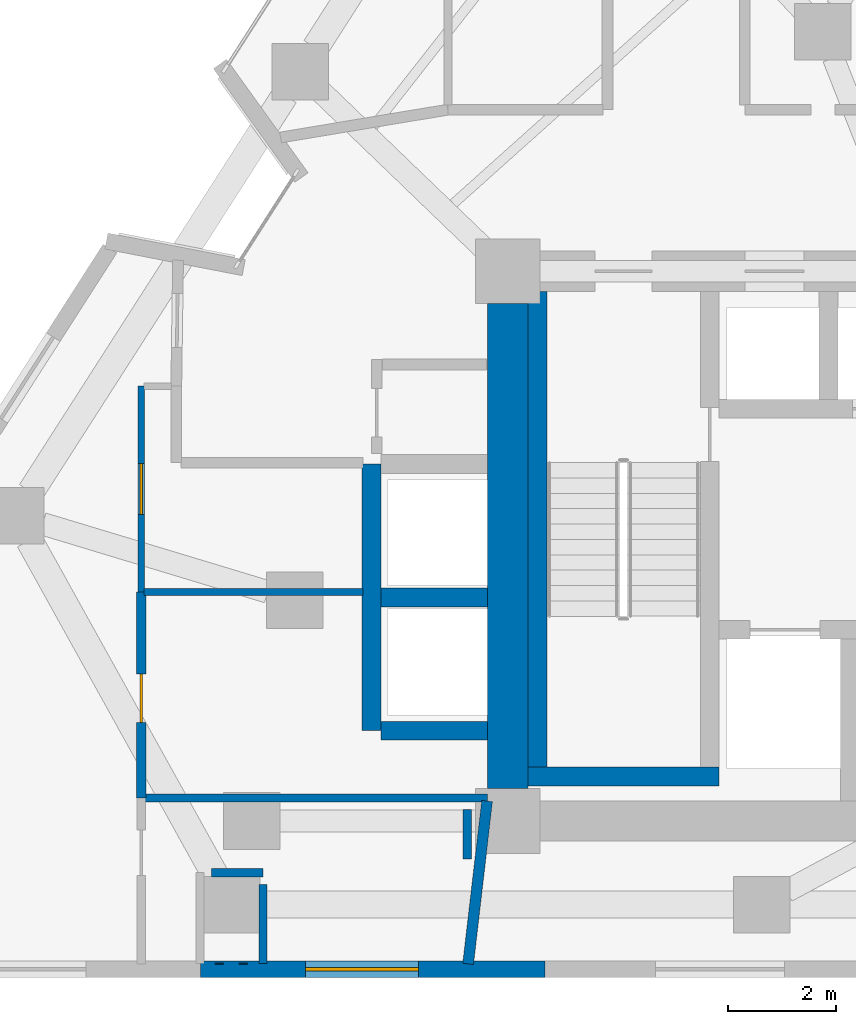
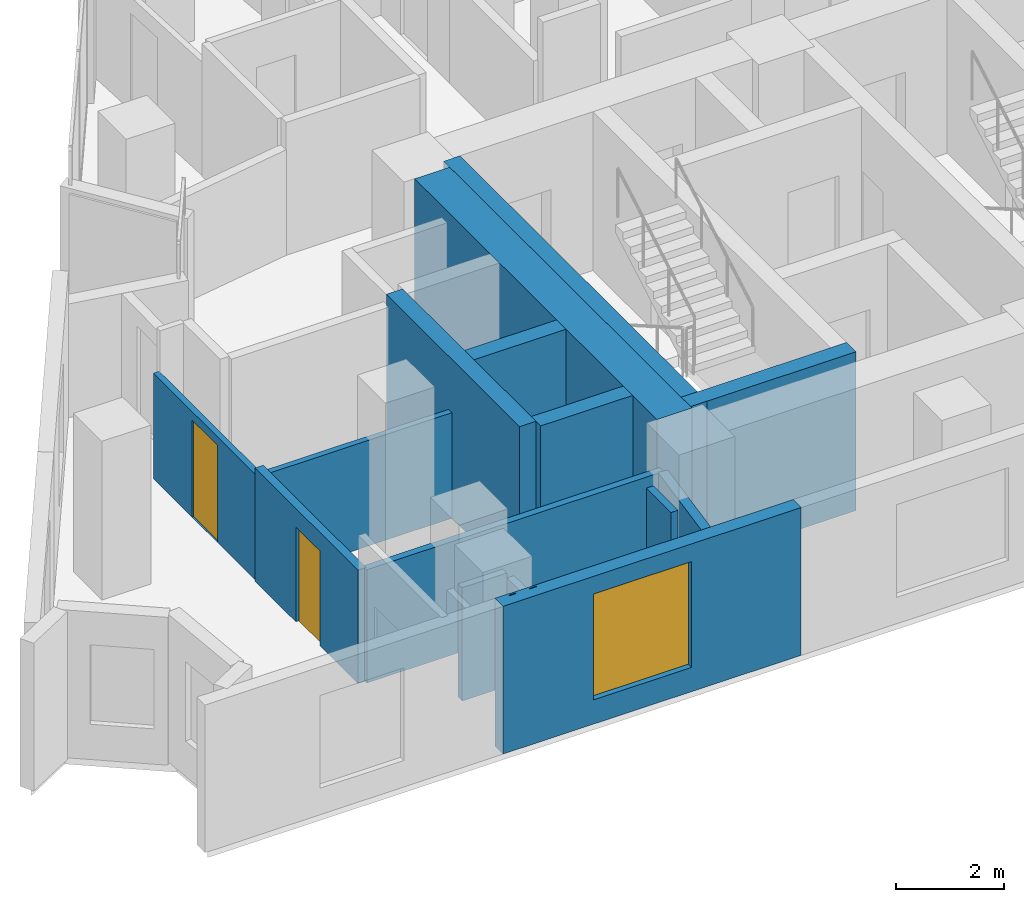
# One storey, part 5 of 11: 17 walls, 2 doors, 1 window, 3 openings.
"""IFC4 building model written with IfcOpenShell, lengths in metres."""

from ifc_helpers import new_model, si_unit, direction, frame, frame_2d, origin, place, context, subcontext, project, spatial, rectangle, extrude, material, layer, layer_set, type_object, element, fill, save


model = new_model("IFC4")

# Units and contexts
model_context = context("Model", 3, precision=1e-05, world=origin(), true_north=direction((0.0, 1.0)))
body_context = subcontext(model_context, "Body", "Model", "MODEL_VIEW")
ifc_project = project(units=[si_unit("LENGTHUNIT", "METRE"), si_unit("AREAUNIT", "SQUARE_METRE"), si_unit("VOLUMEUNIT", "CUBIC_METRE"), si_unit("PLANEANGLEUNIT", "RADIAN"), si_unit("MASSUNIT", "GRAM", prefix="KILO")], contexts=[model_context])

# Site, building, storey
site_placement = place(None, origin())
site = spatial("IfcSite", under=ifc_project, at=site_placement, CompositionType="ELEMENT")
building_placement = place(site_placement, origin())
building = spatial("IfcBuilding", under=site, at=building_placement, Name="Almagre Mirador Tower", CompositionType="ELEMENT")
storey_placement = place(building_placement, frame((0.0, 0.0, 157.199951171875)))
storey = spatial("IfcBuildingStorey", under=building, at=storey_placement, Name="L40", CompositionType="ELEMENT", Elevation=157.199951171875)

# Wall, opening, window
ifc_material_1 = material(Name="Precast concrete C50/60", Category="concrete")
ifc_layer_1 = layer(ifc_material_1, 0.300048828125)
ifc_layer_set_1 = layer_set([ifc_layer_1], Name="Precast concrete C50/60")
wall_type_1 = type_object("IfcWallType", Name="WAL-EXT-300", PredefinedType="SOLIDWALL", material=ifc_layer_set_1)
wall_1_placement = place(storey_placement, frame((28.24609375, 1.800048828125, 0.0), z_axis=(0.0, 0.0, 1.0), x_axis=(-1.0, 0.0, 0.0)))
wall_1 = element("IfcWall", 1, at=wall_1_placement, inside=storey, type_object=wall_type_1, Name="L40 expressed almagre precast frame wall 27", PredefinedType="SOLIDWALL", context=body_context, shape_type="SweptSolid", body=[
    extrude(rectangle(XDim=6.39306640625, YDim=0.300048828125, at=frame_2d((3.196533203125, 0.0))), origin(), (0.0, 0.0, 1.0), 3.35009765625),
])
opening_1_placement = place(wall_1_placement, frame((2.35009765625, 0.0, 0.550048828125)))
opening_1 = element("IfcOpeningElement", 2, at=opening_1_placement, cuts=wall_1, Name="Opening WN-05", PredefinedType="OPENING", context=body_context, shape_type="SweptSolid", body=[
    extrude(rectangle(XDim=2.10009765625, YDim=2.39990234375, at=frame_2d((1.050048828125, 1.199951171875))), frame((0.0, 0.159902, 0.0), z_axis=(0.0, -1.0, 0.0), x_axis=(1.0, 0.0, 0.0)), (0.0, 0.0, 1.0), 0.320049),
])
ifc_material_2 = material(Name="Dark solar-control laminated hurricane glass", Category="glass")
window_type = type_object("IfcWindowType", Name="WIN-2100X2400", PartitioningType="DOUBLE_PANEL_VERTICAL", PredefinedType="WINDOW", material=ifc_material_2)
window_placement = place(opening_1_placement, origin())
window = element("IfcWindow", 3, at=window_placement, inside=storey, type_object=window_type, Name="L40 recessed hurricane window L40-UA-HB", OverallHeight=2.39990234375, OverallWidth=2.10009765625, PartitioningType="SINGLE_PANEL", PredefinedType="WINDOW", context=body_context, shape_type="SweptSolid", body=[
    extrude(rectangle(XDim=2.10009765625, YDim=2.39990234375, at=frame_2d((1.050048828125, 1.199951171875))), frame((0.0, 0.030029296875, 0.0), z_axis=(0.0, -1.0, 0.0), x_axis=(1.0, 0.0, 0.0)), (0.0, 0.0, 1.0), 0.06005859375),
])
fill(opening_1, window)

# Wall, opening, door
ifc_material_3 = material(Name="Gypsum acoustic stud partition", Category="other")
ifc_layer_2 = layer(ifc_material_3, 0.125)
ifc_layer_set_2 = layer_set([ifc_layer_2], Name="Gypsum acoustic stud partition")
wall_type_2 = type_object("IfcWallType", Name="WAL-PRT-125-UTL", PredefinedType="PARTITIONING", material=ifc_layer_set_2)
wall_2_placement = place(storey_placement, frame((20.75, 8.800048828125, 0.0), z_axis=(0.0, 0.0, 1.0), x_axis=(0.0, 1.0, 0.0)))
wall_2 = element("IfcWall", 4, at=wall_2_placement, inside=storey, type_object=wall_type_2, Name="L40 interior partition 028", PredefinedType="PARTITIONING", context=body_context, shape_type="SweptSolid", body=[
    extrude(rectangle(XDim=3.820068359375, YDim=0.125, at=frame_2d((1.91015625, 0.0))), origin(), (0.0, 0.0, 1.0), 2.39306640625),
])
opening_2_placement = place(wall_2_placement, frame((1.43505859375, 0.0, 0.0)))
opening_2 = element("IfcOpeningElement", 5, at=opening_2_placement, cuts=wall_2, Name="Opening UD-01", PredefinedType="OPENING", context=body_context, shape_type="SweptSolid", body=[
    extrude(rectangle(XDim=0.949951171875, YDim=2.199951171875, at=frame_2d((0.47509765625, 1.10009765625))), frame((0.0, 0.0725, 0.0), z_axis=(0.0, -1.0, 0.0), x_axis=(1.0, 0.0, 0.0)), (0.0, 0.0, 1.0), 0.145),
])
ifc_material_4 = material(Name="Solid American walnut timber", Category="wood")
door_type_1 = type_object("IfcDoorType", Name="DOR-UNR-950X2200", OperationType="NOTDEFINED", PredefinedType="DOOR", material=ifc_material_4)
door_1_placement = place(opening_2_placement, origin())
door_1 = element("IfcDoor", 6, at=door_1_placement, inside=storey, type_object=door_type_1, Name="DR-1296 L40 interior door L40-UA-LV to L40-UA-KT", OperationType="SINGLE_SWING_RIGHT", OverallHeight=2.199951171875, OverallWidth=0.949951171875, PredefinedType="DOOR", context=body_context, shape_type="SweptSolid", body=[
    extrude(rectangle(XDim=0.949951171875, YDim=2.199951171875, at=frame_2d((0.47509765625, 1.10009765625))), frame((0.0, 0.02490234375, 0.0), z_axis=(0.0, -1.0, 0.0), x_axis=(1.0, 0.0, 0.0)), (0.0, 0.0, 1.0), 0.050048828125),
])
fill(opening_2, door_1)

# Walls
wall_3_placement = place(storey_placement, frame((20.797607421875, 8.800048828125, 0.0), z_axis=(0.0, 0.0, 1.0), x_axis=(1.0, 0.0, 0.0)))
element("IfcWall", 7, at=wall_3_placement, inside=storey, type_object=wall_type_2, Name="L40 interior partition 033", PredefinedType="PARTITIONING", context=body_context, shape_type="SweptSolid", body=[
    extrude(rectangle(XDim=4.0673828125, YDim=0.125, at=frame_2d((2.03369140625, 0.0))), origin(), (0.0, 0.0, 1.0), 2.39306640625),
])
ifc_material_5 = material(Name="Gypsum acoustic stud partition", Category="other")
ifc_layer_3 = layer(ifc_material_5, 0.14990234375)
ifc_layer_set_3 = layer_set([ifc_layer_3], Name="Gypsum acoustic stud partition")
wall_type_3 = type_object("IfcWallType", Name="WAL-PRT-150-STD", PredefinedType="PARTITIONING", material=ifc_layer_set_3)
wall_4_placement = place(storey_placement, frame((27.175048828125, 4.97998046875, 0.0), z_axis=(0.0, 0.0, 1.0), x_axis=(-1.0, 0.0, 0.0)))
element("IfcWall", 8, at=wall_4_placement, inside=storey, type_object=wall_type_3, Name="L40 interior partition 031", PredefinedType="PARTITIONING", context=body_context, shape_type="SweptSolid", body=[
    extrude(rectangle(XDim=6.364990234375, YDim=0.14990234375, at=frame_2d((3.1826171875, 0.0))), origin(), (0.0, 0.0, 1.0), 2.570068359375),
])
wall_5_placement = place(storey_placement, frame((22.199951171875, 1.888916015625, 0.0), z_axis=(0.0, 0.0, 1.0), x_axis=(0.0, 1.0, 0.0)))
element("IfcWall", 9, at=wall_5_placement, inside=storey, type_object=wall_type_3, Name="L40 interior partition 068", PredefinedType="PARTITIONING", context=body_context, shape_type="SweptSolid", body=[
    extrude(rectangle(XDim=0.02001953125, YDim=0.14990234375, at=frame_2d((0.010009765625, 0.0))), origin(), (0.0, 0.0, 1.0), 3.35009765625),
])
wall_6_placement = place(storey_placement, frame((22.054931640625, 3.590087890625, 0.0), z_axis=(0.0, 0.0, 1.0), x_axis=(1.0, 0.0, 0.0)))
element("IfcWall", 10, at=wall_6_placement, inside=storey, type_object=wall_type_3, Name="L40 interior partition 070", PredefinedType="PARTITIONING", context=body_context, shape_type="SweptSolid", body=[
    extrude(rectangle(XDim=0.955078125, YDim=0.14990234375, at=frame_2d((0.4775390625, 0.0))), origin(), (0.0, 0.0, 1.0), 2.570068359375),
])
wall_7_placement = place(storey_placement, frame((23.010009765625, 3.375, 0.0), z_axis=(0.0, 0.0, 1.0), x_axis=(0.0, -1.0, 0.0)))
element("IfcWall", 11, at=wall_7_placement, inside=storey, type_object=wall_type_3, Name="L40 interior partition 071", PredefinedType="PARTITIONING", context=body_context, shape_type="SweptSolid", body=[
    extrude(rectangle(XDim=1.466064453125, YDim=0.14990234375, at=frame_2d((0.73291015625, 0.0))), origin(), (0.0, 0.0, 1.0), 2.570068359375),
])
wall_8_placement = place(storey_placement, frame((22.639892578125, 1.908935546875, 0.0), z_axis=(0.0, 0.0, 1.0), x_axis=(0.0, -1.0, 0.0)))
element("IfcWall", 12, at=wall_8_placement, inside=storey, type_object=wall_type_3, Name="L40 interior partition 072", PredefinedType="PARTITIONING", context=body_context, shape_type="SweptSolid", body=[
    extrude(rectangle(XDim=0.02001953125, YDim=0.14990234375, at=frame_2d((0.010009765625, 0.0))), origin(), (0.0, 0.0, 1.0), 3.35009765625),
])
wall_9_placement = place(storey_placement, frame((26.800048828125, 3.84912109375, 0.0), z_axis=(0.0, 0.0, 1.0), x_axis=(0.0, 1.0, 0.0)))
element("IfcWall", 13, at=wall_9_placement, inside=storey, type_object=wall_type_3, Name="L40 interior partition 074", PredefinedType="PARTITIONING", context=body_context, shape_type="SweptSolid", body=[
    extrude(rectangle(XDim=0.915771484375, YDim=0.14990234375, at=frame_2d((0.4580078125, 0.0))), origin(), (0.0, 0.0, 1.0), 2.43603515625),
])

# Wall, opening, door
ifc_material_6 = material(Name="Gypsum acoustic stud partition", Category="other")
ifc_layer_4 = layer(ifc_material_6, 0.175048828125)
ifc_layer_set_4 = layer_set([ifc_layer_4], Name="Gypsum acoustic stud partition")
wall_type_4 = type_object("IfcWallType", Name="WAL-PRT-175-AC", PredefinedType="PARTITIONING", material=ifc_layer_set_4)
wall_10_placement = place(storey_placement, frame((20.75, 4.97998046875, 0.0), z_axis=(0.0, 0.0, 1.0), x_axis=(0.0, 1.0, 0.0)))
wall_10 = element("IfcWall", 14, at=wall_10_placement, inside=storey, type_object=wall_type_4, Name="L40 interior partition 030", PredefinedType="PARTITIONING", context=body_context, shape_type="SweptSolid", body=[
    extrude(rectangle(XDim=3.820068359375, YDim=0.175048828125, at=frame_2d((1.91015625, 0.0))), origin(), (0.0, 0.0, 1.0), 2.570068359375),
])
opening_3_placement = place(wall_10_placement, frame((1.402587890625, 0.0, 0.0)))
opening_3 = element("IfcOpeningElement", 15, at=opening_3_placement, cuts=wall_10, Name="Opening UD-02", PredefinedType="OPENING", context=body_context, shape_type="SweptSolid", body=[
    extrude(rectangle(XDim=0.89990234375, YDim=2.14990234375, at=frame_2d((0.449951171875, 1.074951171875))), frame((0.0, 0.097402, 0.0), z_axis=(0.0, -1.0, 0.0), x_axis=(1.0, 0.0, 0.0)), (0.0, 0.0, 1.0), 0.195049),
])
ifc_material_7 = material(Name="Solid American walnut timber", Category="wood")
door_type_2 = type_object("IfcDoorType", Name="DOR-UNR-900X2150", OperationType="NOTDEFINED", PredefinedType="DOOR", material=ifc_material_7)
door_2_placement = place(opening_3_placement, origin())
door_2 = element("IfcDoor", 16, at=door_2_placement, inside=storey, type_object=door_type_2, Name="DR-1298 L40 interior door L40-UA-LV to L40-UA-MB", OperationType="SINGLE_SWING_RIGHT", OverallHeight=2.14990234375, OverallWidth=0.89990234375, PredefinedType="DOOR", context=body_context, shape_type="SweptSolid", body=[
    extrude(rectangle(XDim=0.89990234375, YDim=2.14990234375, at=frame_2d((0.449951171875, 1.074951171875))), frame((0.0, 0.02490234375, 0.0), z_axis=(0.0, -1.0, 0.0), x_axis=(1.0, 0.0, 0.0)), (0.0, 0.0, 1.0), 0.050048828125),
])
fill(opening_3, door_2)

# Walls
ifc_material_8 = material(Name="Gypsum acoustic stud partition", Category="other")
ifc_layer_5 = layer(ifc_material_8, 0.199951171875)
ifc_layer_set_5 = layer_set([ifc_layer_5], Name="Gypsum acoustic stud partition")
wall_type_5 = type_object("IfcWallType", Name="WAL-PRT-200-EI60", PredefinedType="PARTITIONING", material=ifc_layer_set_5)
wall_11_placement = place(storey_placement, frame((26.81591796875, 1.89892578125, 0.0), z_axis=(0.0, 0.0, 1.0), x_axis=(0.115732894013, 0.993280371921, 0.0)))
element("IfcWall", 17, at=wall_11_placement, inside=storey, type_object=wall_type_5, Name="L40 interior partition 032", PredefinedType="PARTITIONING", context=body_context, shape_type="SweptSolid", body=[
    extrude(rectangle(XDim=3.0419921875, YDim=0.199951171875, at=frame_2d((1.52099609375, 0.0))), origin(), (0.0, 0.0, 1.0), 2.570068359375),
])
ifc_material_9 = material(Name="Concrete C60/75", Category="concrete")
ifc_layer_6 = layer(ifc_material_9, 0.35009765625)
ifc_layer_set_6 = layer_set([ifc_layer_6], Name="Concrete C60/75")
wall_type_6 = type_object("IfcWallType", Name="WAL-SHF-350", PredefinedType="SOLIDWALL", material=ifc_layer_set_6)
wall_12_placement = place(storey_placement, frame((28.10009765625, 5.199951171875, 0.0), z_axis=(0.0, 0.0, 1.0), x_axis=(0.0, 1.0, 0.0)))
element("IfcWall", 18, at=wall_12_placement, inside=storey, type_object=wall_type_6, Name="L40 shaft wall ST1-W", PredefinedType="SOLIDWALL", context=body_context, shape_type="SweptSolid", body=[
    extrude(rectangle(XDim=9.175048828125, YDim=0.35009765625, at=frame_2d((4.58740234375, 0.0))), origin(), (0.0, 0.0, 1.0), 3.60009765625),
])
wall_13_placement = place(storey_placement, frame((27.925048828125, 5.375, 0.0), z_axis=(0.0, 0.0, 1.0), x_axis=(1.0, 0.0, 0.0)))
element("IfcWall", 19, at=wall_13_placement, inside=storey, type_object=wall_type_6, Name="L40 shaft wall ST1-S", PredefinedType="SOLIDWALL", context=body_context, shape_type="SweptSolid", body=[
    extrude(rectangle(XDim=3.550048828125, YDim=0.35009765625, at=frame_2d((1.77490234375, 0.0))), origin(), (0.0, 0.0, 1.0), 3.60009765625),
])
wall_14_placement = place(storey_placement, frame((25.02490234375, 6.22509765625, 0.0), z_axis=(0.0, 0.0, 1.0), x_axis=(0.0, 1.0, 0.0)))
element("IfcWall", 20, at=wall_14_placement, inside=storey, type_object=wall_type_6, Name="L40 shaft wall OL-W", PredefinedType="SOLIDWALL", context=body_context, shape_type="SweptSolid", body=[
    extrude(rectangle(XDim=4.949951171875, YDim=0.35009765625, at=frame_2d((2.47509765625, 0.0))), origin(), (0.0, 0.0, 1.0), 3.60009765625),
])
for number, where, z_axis, x_axis, name in (
    (21, (25.199951171875, 6.22509765625, 0.0), (0.0, 0.0, 1.0), (1.0, 0.0, 0.0), "L40 shaft wall OL-S"),
    (22, (25.199951171875, 8.699951171875, 0.0), (0.0, 0.0, 1.0), (1.0, 0.0, 0.0), "L40 shaft wall OL-M"),
):
    element("IfcWall", number, at=place(storey_placement, frame(where, z_axis=z_axis, x_axis=x_axis)), inside=storey, type_object=wall_type_6, Name=name, PredefinedType="SOLIDWALL", context=body_context, shape_type="SweptSolid", body=[
        extrude(rectangle(XDim=1.97509765625, YDim=0.35009765625, at=frame_2d((0.987548828125, 0.0))), origin(), (0.0, 0.0, 1.0), 3.60009765625),
    ])
ifc_material_10 = material(Name="Concrete C60/75", Category="concrete")
ifc_layer_7 = layer(ifc_material_10, 0.75)
ifc_layer_set_7 = layer_set([ifc_layer_7], Name="Concrete C60/75")
wall_type_7 = type_object("IfcWallType", Name="WAL-SHR-750", PredefinedType="SHEAR", material=ifc_layer_set_7)
wall_15_placement = place(storey_placement, frame((27.550048828125, 5.14990234375, 0.0), z_axis=(0.0, 0.0, 1.0), x_axis=(0.0, 1.0, 0.0)))
element("IfcWall", 23, at=wall_15_placement, inside=storey, type_object=wall_type_7, Name="L40 core shear wall W1", PredefinedType="SHEAR", context=body_context, shape_type="SweptSolid", body=[
    extrude(rectangle(XDim=9.0, YDim=0.75, at=frame_2d((4.5, 0.0))), origin(), (0.0, 0.0, 1.0), 3.60009765625),
])

save(model, "model.ifc")
